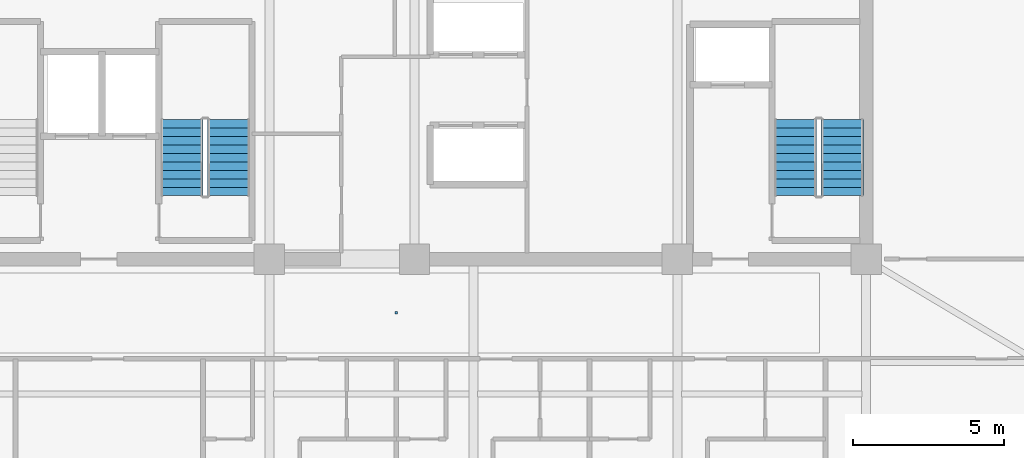
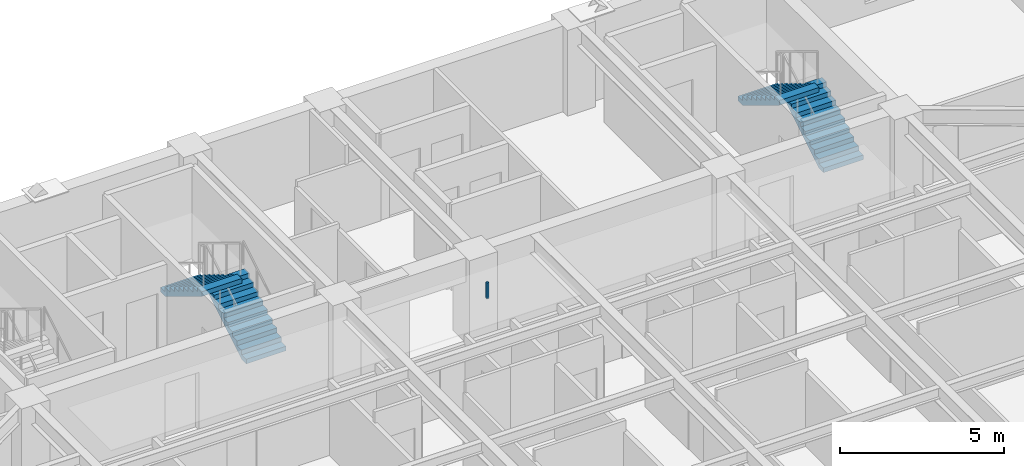
# One storey, part 12 of 17: 4 stair flights, 1 discrete accessory, 2 elements without a shape of their own.
"""IFC4 building model written with IfcOpenShell, lengths in metres."""

from ifc_helpers import new_model, si_unit, direction, frame, origin, origin_2d, place, context, subcontext, project, spatial, polyline, rectangle, outline, extrude, source, transform, mapped, material, type_object, element, aggregate, save


model = new_model("IFC4")

# Units and contexts
model_context = context("Model", 3, precision=1e-05, world=origin(), true_north=direction((0.0, 1.0)))
body_context = subcontext(model_context, "Body", "Model", "MODEL_VIEW")
ifc_project = project(units=[si_unit("LENGTHUNIT", "METRE"), si_unit("AREAUNIT", "SQUARE_METRE"), si_unit("VOLUMEUNIT", "CUBIC_METRE"), si_unit("PLANEANGLEUNIT", "RADIAN"), si_unit("MASSUNIT", "GRAM", prefix="KILO")], contexts=[model_context])

# Site, building, storey
site_placement = place(None, origin())
site = spatial("IfcSite", under=ifc_project, at=site_placement, CompositionType="ELEMENT")
building_placement = place(site_placement, origin())
building = spatial("IfcBuilding", under=site, at=building_placement, Name="Giltprow Tower", CompositionType="ELEMENT")
storey_placement = place(building_placement, frame((0.0, 0.0, 248.5)))
storey = spatial("IfcBuildingStorey", under=building, at=storey_placement, Name="L63", CompositionType="ELEMENT", Elevation=248.5)

# Stair, stair flights
ifc_material_1 = material(Name="Concrete C40", Category="concrete")
stair_type_1 = type_object("IfcStairType", Name="STR-ST-2", PredefinedType="HALF_TURN_STAIR", material=ifc_material_1)
stair_1_placement = place(storey_placement, origin())
stair_1 = element("IfcStair", 1, at=stair_1_placement, inside=storey, type_object=stair_type_1, Name="L63 Core Exit Stair ST-2", PredefinedType="HALF_TURN_STAIR")
stair_flight_type_1 = type_object("IfcStairFlightType", Name="SFL-ST-2", PredefinedType="STRAIGHT", material=ifc_material_1)
stair_flight_1_placement = place(storey_placement, frame((29.4599609375, 39.550048828125, 0.0), z_axis=(0.0, 0.0, 1.0), x_axis=(0.0, 1.0, 0.0)))
stair_flight_1 = element("IfcStairFlight", 2, at=stair_flight_1_placement, type_object=stair_flight_type_1, Name="ST-2 flight 1", NumberOfRisers=10, NumberOfTreads=9, PredefinedType="STRAIGHT", RiserHeight=0.17, TreadLength=0.28, context=body_context, shape_type="SweptSolid", body=[
    extrude(outline(polyline([(0.0, 0.0), (0.0, 0.169921875), (0.280029296875, 0.169921875), (0.280029296875, 0.340087890625), (0.56005859375, 0.340087890625), (0.56005859375, 0.510009765625), (0.840087890625, 0.510009765625), (0.840087890625, 0.679931640625), (1.1201171875, 0.679931640625), (1.1201171875, 0.85009765625), (1.39990234375, 0.85009765625), (1.39990234375, 1.02001953125), (1.679931640625, 1.02001953125), (1.679931640625, 1.18994140625), (1.9599609375, 1.18994140625), (1.9599609375, 1.360107421875), (2.239990234375, 1.360107421875), (2.239990234375, 1.530029296875), (2.52001953125, 1.530029296875), (2.52001953125, 1.699951171875), (2.52001953125, 1.354736328125), (0.288818359375, 0.0), (0.0, 0.0)])), frame((0.0, 0.699951171875, 0.0), z_axis=(0.0, -1.0, 0.0), x_axis=(1.0, 0.0, 0.0)), (0.0, 0.0, 1.0), 1.39990234375),
])
stair_flight_2_placement = place(storey_placement, frame((27.89990234375, 42.070068359375, 1.699951171875), z_axis=(0.0, 0.0, 1.0), x_axis=(0.0, -1.0, 0.0)))
stair_flight_2 = element("IfcStairFlight", 3, at=stair_flight_2_placement, type_object=stair_flight_type_1, Name="ST-2 flight 2", NumberOfRisers=10, NumberOfTreads=9, PredefinedType="STRAIGHT", RiserHeight=0.17, TreadLength=0.28, context=body_context, shape_type="SweptSolid", body=[
    extrude(outline(polyline([(0.0, 0.0), (0.0, 0.169921875), (0.280029296875, 0.169921875), (0.280029296875, 0.340087890625), (0.56005859375, 0.340087890625), (0.56005859375, 0.510009765625), (0.840087890625, 0.510009765625), (0.840087890625, 0.679931640625), (1.1201171875, 0.679931640625), (1.1201171875, 0.85009765625), (1.39990234375, 0.85009765625), (1.39990234375, 1.02001953125), (1.679931640625, 1.02001953125), (1.679931640625, 1.18994140625), (1.9599609375, 1.18994140625), (1.9599609375, 1.360107421875), (2.239990234375, 1.360107421875), (2.239990234375, 1.530029296875), (2.52001953125, 1.530029296875), (2.52001953125, 1.699951171875), (2.52001953125, 1.354736328125), (0.288818359375, 0.0), (0.0, 0.0)])), frame((0.0, 0.699951171875, 0.0), z_axis=(0.0, -1.0, 0.0), x_axis=(1.0, 0.0, 0.0)), (0.0, 0.0, 1.0), 1.39990234375),
])
aggregate(stair_1, [stair_flight_1, stair_flight_2])

stair_type_2 = type_object("IfcStairType", Name="STR-ST-3", PredefinedType="HALF_TURN_STAIR", material=ifc_material_1)
stair_2_placement = place(storey_placement, origin())
stair_2 = element("IfcStair", 4, at=stair_2_placement, inside=storey, type_object=stair_type_2, Name="L63 Core Exit Stair ST-3", PredefinedType="HALF_TURN_STAIR")
stair_flight_type_2 = type_object("IfcStairFlightType", Name="SFL-ST-3", PredefinedType="STRAIGHT", material=ifc_material_1)
stair_flight_3_placement = place(storey_placement, frame((49.760009765625, 39.550048828125, 0.0), z_axis=(0.0, 0.0, 1.0), x_axis=(0.0, 1.0, 0.0)))
stair_flight_3 = element("IfcStairFlight", 5, at=stair_flight_3_placement, type_object=stair_flight_type_2, Name="ST-3 flight 1", NumberOfRisers=10, NumberOfTreads=9, PredefinedType="STRAIGHT", RiserHeight=0.17, TreadLength=0.28, context=body_context, shape_type="SweptSolid", body=[
    extrude(outline(polyline([(0.0, 0.0), (0.0, 0.169921875), (0.280029296875, 0.169921875), (0.280029296875, 0.340087890625), (0.56005859375, 0.340087890625), (0.56005859375, 0.510009765625), (0.840087890625, 0.510009765625), (0.840087890625, 0.679931640625), (1.1201171875, 0.679931640625), (1.1201171875, 0.85009765625), (1.39990234375, 0.85009765625), (1.39990234375, 1.02001953125), (1.679931640625, 1.02001953125), (1.679931640625, 1.18994140625), (1.9599609375, 1.18994140625), (1.9599609375, 1.360107421875), (2.239990234375, 1.360107421875), (2.239990234375, 1.530029296875), (2.52001953125, 1.530029296875), (2.52001953125, 1.699951171875), (2.52001953125, 1.354736328125), (0.288818359375, 0.0), (0.0, 0.0)])), frame((0.0, 0.699951171875, 0.0), z_axis=(0.0, -1.0, 0.0), x_axis=(1.0, 0.0, 0.0)), (0.0, 0.0, 1.0), 1.39990234375),
])
stair_flight_4_placement = place(storey_placement, frame((48.199951171875, 42.070068359375, 1.699951171875), z_axis=(0.0, 0.0, 1.0), x_axis=(0.0, -1.0, 0.0)))
stair_flight_4 = element("IfcStairFlight", 6, at=stair_flight_4_placement, type_object=stair_flight_type_2, Name="ST-3 flight 2", NumberOfRisers=10, NumberOfTreads=9, PredefinedType="STRAIGHT", RiserHeight=0.17, TreadLength=0.28, context=body_context, shape_type="SweptSolid", body=[
    extrude(outline(polyline([(0.0, 0.0), (0.0, 0.169921875), (0.280029296875, 0.169921875), (0.280029296875, 0.340087890625), (0.56005859375, 0.340087890625), (0.56005859375, 0.510009765625), (0.840087890625, 0.510009765625), (0.840087890625, 0.679931640625), (1.1201171875, 0.679931640625), (1.1201171875, 0.85009765625), (1.39990234375, 0.85009765625), (1.39990234375, 1.02001953125), (1.679931640625, 1.02001953125), (1.679931640625, 1.18994140625), (1.9599609375, 1.18994140625), (1.9599609375, 1.360107421875), (2.239990234375, 1.360107421875), (2.239990234375, 1.530029296875), (2.52001953125, 1.530029296875), (2.52001953125, 1.699951171875), (2.52001953125, 1.354736328125), (0.288818359375, 0.0), (0.0, 0.0)])), frame((0.0, 0.699951171875, 0.0), z_axis=(0.0, -1.0, 0.0), x_axis=(1.0, 0.0, 0.0)), (0.0, 0.0, 1.0), 1.39990234375),
])
aggregate(stair_2, [stair_flight_3, stair_flight_4])

# Discrete accessory
ifc_material_2 = material(Name="Structural steel Q355B", Category="steel")
discrete_accessory_type = type_object("IfcDiscreteAccessoryType", Name="ACC-CLG-HANGER", PredefinedType="BRACKET", material=ifc_material_2)
shared_shape = source(origin(), body_context, "Body", "SweptSolid", [
    extrude(rectangle(XDim=0.080078125, YDim=0.080078125, at=origin_2d()), origin(), (0.0, 0.0, 1.0), 0.5849609375),
])
discrete_accessory_placement = place(storey_placement, frame((35.0, 35.675048828125, 2.62060546875), z_axis=(0.0, 0.0, 1.0), x_axis=(1.0, 0.0, 0.0)))
element("IfcDiscreteAccessory", 7, at=discrete_accessory_placement, inside=storey, type_object=discrete_accessory_type, Name="L63 Residence Gallery Ceiling Suspension Hanger", PredefinedType="BRACKET", context=body_context, shape_type="MappedRepresentation", body=[
    mapped(shared_shape, transform((0.0, 0.0, 0.0), x_axis=(1.0, 0.0, 0.0), y_axis=(0.0, 1.0, 0.0), z_axis=(0.0, 0.0, 1.0), scale=1.0)),
])

save(model, "model.ifc")
